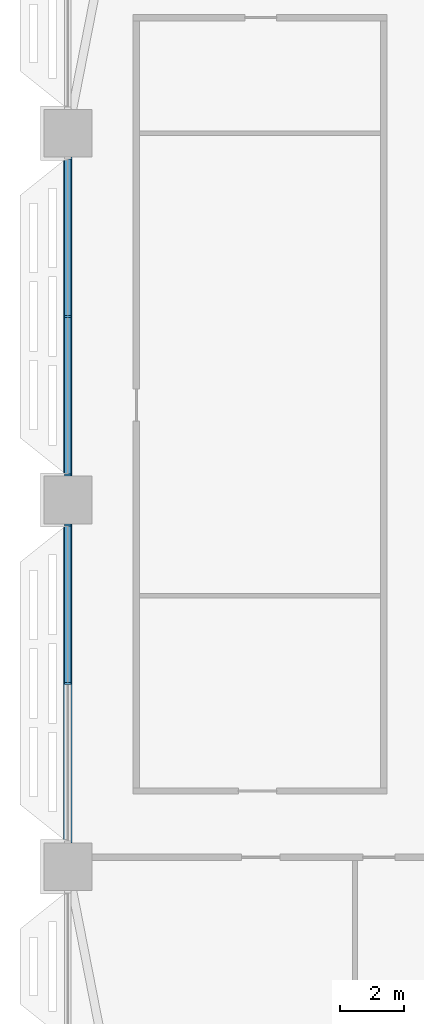
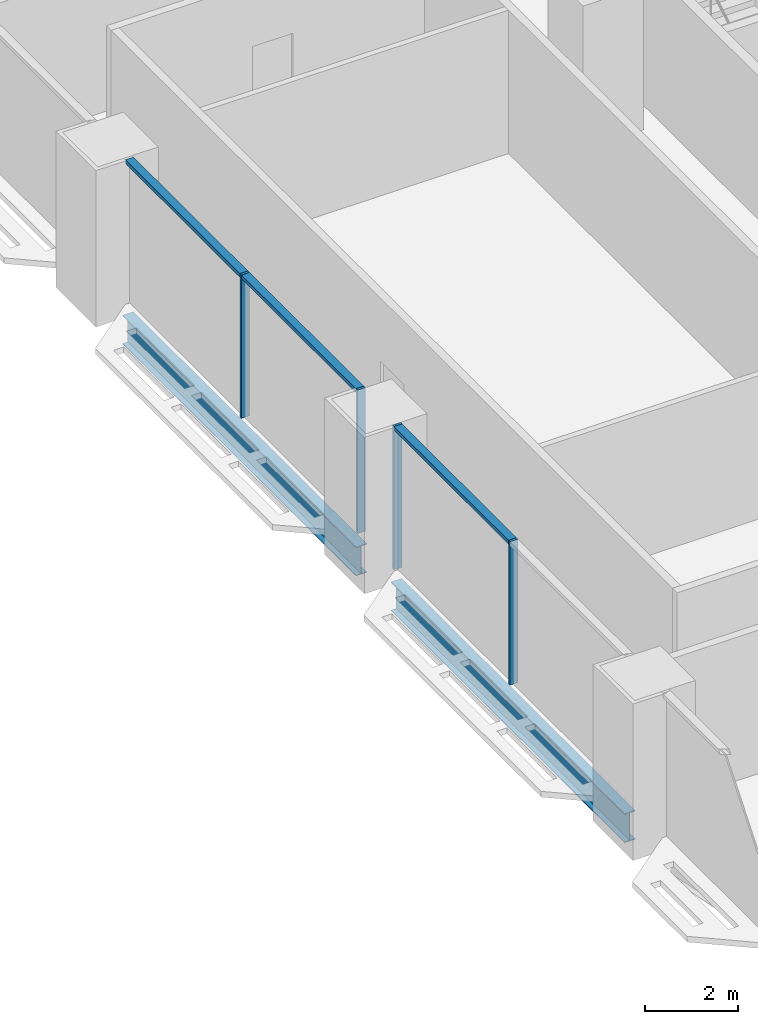
# One storey, part 4 of 29: 7 members, 2 beams, 2 elements without a shape of their own.
"""IFC4 building model written with IfcOpenShell, lengths in metres."""

from ifc_helpers import new_model, si_unit, direction, frame, origin, origin_2d, place, context, subcontext, project, spatial, rectangle, i_section, extrude, material, material_profile, profile_set, type_object, element, aggregate, save


model = new_model("IFC4")

# Units and contexts
model_context = context("Model", 3, precision=1e-05, world=origin(), true_north=direction((0.0, 1.0)))
body_context = subcontext(model_context, "Body", "Model", "MODEL_VIEW")
ifc_project = project(units=[si_unit("LENGTHUNIT", "METRE"), si_unit("AREAUNIT", "SQUARE_METRE"), si_unit("VOLUMEUNIT", "CUBIC_METRE"), si_unit("PLANEANGLEUNIT", "RADIAN"), si_unit("MASSUNIT", "GRAM", prefix="KILO")], contexts=[model_context])

# Site, building, storey
site_placement = place(None, origin())
site = spatial("IfcSite", under=ifc_project, at=site_placement, CompositionType="ELEMENT")
building_placement = place(site_placement, origin())
building = spatial("IfcBuilding", under=site, at=building_placement, Name="Mahtab Terrace Research Tower", CompositionType="ELEMENT")
storey_placement = place(building_placement, frame((0.0, 0.0, 76.10009765625)))
storey = spatial("IfcBuildingStorey", under=building, at=storey_placement, Name="L17", CompositionType="ELEMENT", Elevation=76.10009765625)

# Curtain wall, members
ifc_material_1 = material(Name="Laboratory ribbon curtain wall")
curtain_wall_type = type_object("IfcCurtainWallType", Name="Laboratory ribbon curtain wall", PredefinedType="NOTDEFINED", material=ifc_material_1)
curtain_wall_1_placement = place(storey_placement, origin())
curtain_wall_1 = element("IfcCurtainWall", 1, at=curtain_wall_1_placement, inside=storey, type_object=curtain_wall_type, Name="EN.L17.8.16", PredefinedType="NOTDEFINED")
ifc_material_2 = material(Name="Natural anodised aluminium", Category="aluminium")
ifc_material_profile_1 = material_profile(ifc_material_2, rectangle(XDim=0.199951171875, YDim=0.06494140625, at=origin_2d()), Name="MULLION 65x200")
ifc_profile_set_1 = profile_set([ifc_material_profile_1], Name="Natural anodised aluminium")
member_type_1 = type_object("IfcMemberType", Name="Laboratory ribbon curtain wall mullion", PredefinedType="MULLION", material=ifc_profile_set_1)
member_1_placement = place(storey_placement, frame((-42.0, 5.75, 0.0), z_axis=(0.0, 0.0, 1.0), x_axis=(1.0, 0.0, 0.0)))
member_1 = element("IfcMember", 2, at=member_1_placement, type_object=member_type_1, Name="CWL-2 mullion 2", PredefinedType="MULLION", context=body_context, shape_type="SweptSolid", body=[
    extrude(rectangle(XDim=0.199951171875, YDim=0.06494140625, at=origin_2d()), origin(), (0.0, 0.0, 1.0), 3.75),
])
member_2_placement = place(storey_placement, frame((-42.0, 0.782470703125, 0.0), z_axis=(0.0, 0.0, 1.0), x_axis=(1.0, 0.0, 0.0)))
member_2 = element("IfcMember", 3, at=member_2_placement, type_object=member_type_1, Name="CWL-2 mullion 3", PredefinedType="MULLION", context=body_context, shape_type="SweptSolid", body=[
    extrude(rectangle(XDim=0.199951171875, YDim=0.06494140625, at=origin_2d()), origin(), (0.0, 0.0, 1.0), 3.75),
])

curtain_wall_2_placement = place(storey_placement, origin())
curtain_wall_2 = element("IfcCurtainWall", 4, at=curtain_wall_2_placement, inside=storey, type_object=curtain_wall_type, Name="EN.L17.8.17", PredefinedType="NOTDEFINED")
member_3_placement = place(storey_placement, frame((-42.0, -0.782470703125, 0.0), z_axis=(0.0, 0.0, 1.0), x_axis=(1.0, 0.0, 0.0)))
member_3 = element("IfcMember", 5, at=member_3_placement, type_object=member_type_1, Name="CWL-2 mullion 1", PredefinedType="MULLION", context=body_context, shape_type="SweptSolid", body=[
    extrude(rectangle(XDim=0.199951171875, YDim=0.06494140625, at=origin_2d()), origin(), (0.0, 0.0, 1.0), 3.75),
])
member_4_placement = place(storey_placement, frame((-42.0, -5.75, 0.0), z_axis=(0.0, 0.0, 1.0), x_axis=(1.0, 0.0, 0.0)))
member_4 = element("IfcMember", 6, at=member_4_placement, type_object=member_type_1, Name="CWL-2 mullion 2", PredefinedType="MULLION", context=body_context, shape_type="SweptSolid", body=[
    extrude(rectangle(XDim=0.199951171875, YDim=0.06494140625, at=origin_2d()), origin(), (0.0, 0.0, 1.0), 3.75),
])

# Member
ifc_material_profile_2 = material_profile(ifc_material_2, rectangle(XDim=0.199951171875, YDim=0.10009765625, at=origin_2d()), Name="TRANSOM 100x200")
ifc_profile_set_2 = profile_set([ifc_material_profile_2], Name="Natural anodised aluminium")
member_type_2 = type_object("IfcMemberType", Name="Laboratory ribbon curtain wall transom", PredefinedType="USERDEFINED", material=ifc_profile_set_2)
member_5_placement = place(storey_placement, frame((-42.0, 10.68505859375, 3.699951171875), z_axis=(0.0, -1.0, 0.0), x_axis=(1.0, 0.0, 0.0)))
member_5 = element("IfcMember", 7, at=member_5_placement, type_object=member_type_2, Name="CWL-2 transom 1", ObjectType="TRANSOM", PredefinedType="USERDEFINED", context=body_context, shape_type="SweptSolid", body=[
    extrude(rectangle(XDim=0.199951171875, YDim=0.10009765625, at=origin_2d()), origin(), (0.0, 0.0, 1.0), 4.902587890625),
])

member_6_placement = place(storey_placement, frame((-42.0, 5.717529296875, 3.699951171875), z_axis=(0.0, -1.0, 0.0), x_axis=(1.0, 0.0, 0.0)))
member_6 = element("IfcMember", 8, at=member_6_placement, type_object=member_type_2, Name="CWL-2 transom 2", ObjectType="TRANSOM", PredefinedType="USERDEFINED", context=body_context, shape_type="SweptSolid", body=[
    extrude(rectangle(XDim=0.199951171875, YDim=0.10009765625, at=origin_2d()), origin(), (0.0, 0.0, 1.0), 4.902587890625),
])

aggregate(curtain_wall_1, [member_1, member_2, member_5, member_6])

member_7_placement = place(storey_placement, frame((-42.0, -0.81494140625, 3.699951171875), z_axis=(0.0, -1.0, 0.0), x_axis=(1.0, 0.0, 0.0)))
member_7 = element("IfcMember", 9, at=member_7_placement, type_object=member_type_2, Name="CWL-2 transom 1", ObjectType="TRANSOM", PredefinedType="USERDEFINED", context=body_context, shape_type="SweptSolid", body=[
    extrude(rectangle(XDim=0.199951171875, YDim=0.10009765625, at=origin_2d()), origin(), (0.0, 0.0, 1.0), 4.902587890625),
])

aggregate(curtain_wall_2, [member_3, member_4, member_7])

# Beams
ifc_material_3 = material(Name="Steel ASTM A992 Gr 50", Category="steel")
ifc_material_profile_3 = material_profile(ifc_material_3, i_section(OverallWidth=0.2666015625, OverallDepth=0.7568359375, WebThickness=0.013916015625, FlangeThickness=0.019287109375, at=origin_2d()), Name="W30X108")
ifc_profile_set_3 = profile_set([ifc_material_profile_3], Name="Steel ASTM A992 Gr 50")
beam_type = type_object("IfcBeamType", Name="W30x108 beam BS30108", PredefinedType="BEAM", material=ifc_profile_set_3)
for number, where, z_axis, x_axis, name in (
    (10, (-42.0, 10.75, -0.718505859375), (0.0, -1.0, 0.0), (1.0, 0.0, 0.0), "Spandrel beam L17 10"),
    (11, (-42.0, -0.75, -0.718505859375), (0.0, -1.0, 0.0), (1.0, 0.0, 0.0), "Spandrel beam L17 11"),
):
    element("IfcBeam", number, at=place(storey_placement, frame(where, z_axis=z_axis, x_axis=x_axis)), inside=storey, type_object=beam_type, Name=name, PredefinedType="BEAM", context=body_context, shape_type="SweptSolid", body=[
        extrude(i_section(OverallWidth=0.2666015625, OverallDepth=0.7568359375, WebThickness=0.013916015625, FlangeThickness=0.019287109375, at=origin_2d()), origin(), (0.0, 0.0, 1.0), 10.0),
    ])

save(model, "model.ifc")
